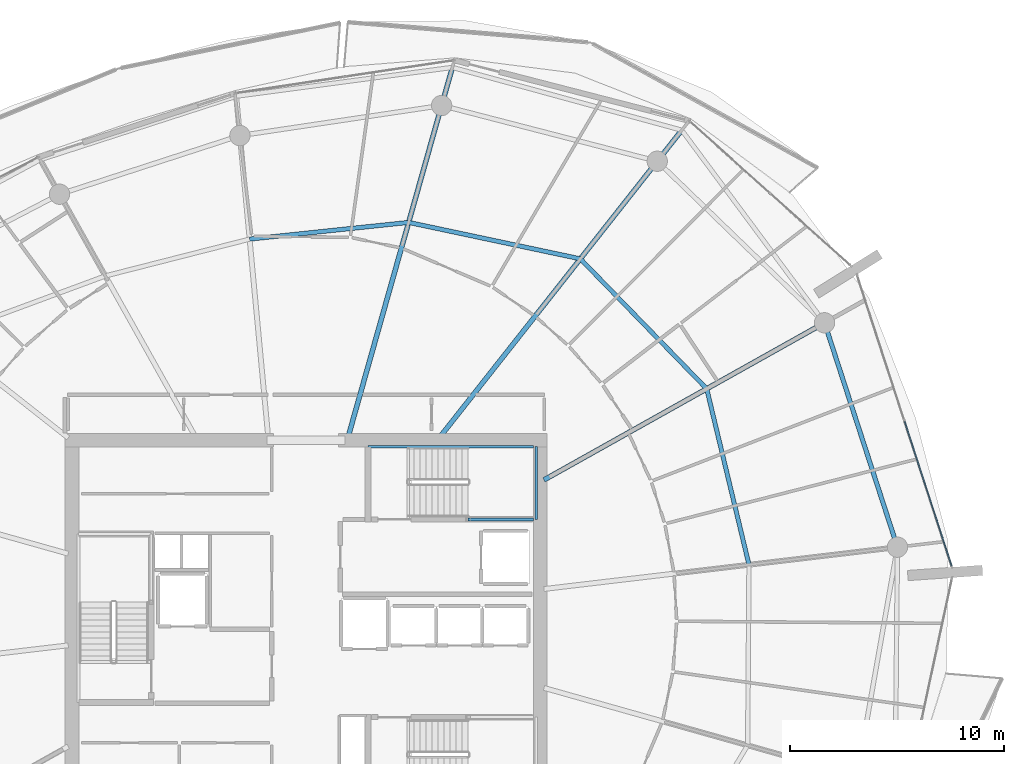
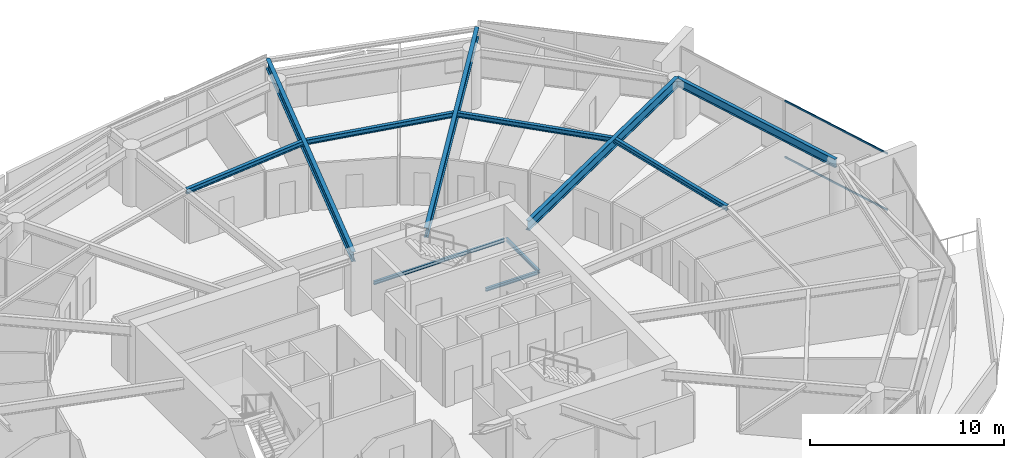
# One storey, part 14 of 30: 11 beams, 2 members, 1 element without a shape of its own.
"""IFC4 building model written with IfcOpenShell, lengths in metres."""

from ifc_helpers import new_model, si_unit, direction, frame, origin, origin_2d, place, context, subcontext, project, spatial, rectangle, i_section, extrude, material, layer, layer_set, material_profile, profile_set, type_object, element, aggregate, save


model = new_model("IFC4")

# Units and contexts
model_context = context("Model", 3, precision=1e-05, world=origin(), true_north=direction((0.0, 1.0)))
body_context = subcontext(model_context, "Body", "Model", "MODEL_VIEW")
ifc_project = project(units=[si_unit("LENGTHUNIT", "METRE"), si_unit("AREAUNIT", "SQUARE_METRE"), si_unit("VOLUMEUNIT", "CUBIC_METRE"), si_unit("PLANEANGLEUNIT", "RADIAN"), si_unit("MASSUNIT", "GRAM", prefix="KILO")], contexts=[model_context])

# Site, building, storey
site_placement = place(None, origin())
site = spatial("IfcSite", under=ifc_project, at=site_placement, CompositionType="ELEMENT")
building_placement = place(site_placement, origin())
building = spatial("IfcBuilding", under=site, at=building_placement, Name="Kazma Halo Residences", CompositionType="ELEMENT")
storey_placement = place(building_placement, frame((0.0, 0.0, 244.39990234375)))
storey = spatial("IfcBuildingStorey", under=building, at=storey_placement, Name="L61", CompositionType="ELEMENT", Elevation=244.39990234375)

# Beams
ifc_material_1 = material(Name="Steel S355", Category="steel")
ifc_material_profile_1 = material_profile(ifc_material_1, i_section(OverallWidth=0.22802734375, OverallDepth=0.60791015625, WebThickness=0.01123046875, FlangeThickness=0.017333984375, FilletRadius=0.01806640625, at=origin_2d()), Name="W610x113")
ifc_profile_set_1 = profile_set([ifc_material_profile_1], Name="Steel S355")
beam_type_1 = type_object("IfcBeamType", Name="BM-RAD-W610", PredefinedType="BEAM", material=ifc_profile_set_1)
beam_1_placement = place(storey_placement, frame((59.550048828125, 48.46826171875, 3.2861328125), z_axis=(0.872498817764, 0.488616222613, 0.0), x_axis=(-0.488616222613, 0.872498817764, 0.0)))
element("IfcBeam", 1, at=beam_1_placement, inside=storey, type_object=beam_type_1, Name="L61 radial floor beam 01", PredefinedType="BEAM", context=body_context, shape_type="SweptSolid", body=[
    extrude(i_section(OverallWidth=0.22802734375, OverallDepth=0.60791015625, WebThickness=0.01123046875, FlangeThickness=0.017333984375, FilletRadius=0.01806640625, at=origin_2d()), origin(), (0.0, 0.0, 1.0), 15.03759765625),
])
beam_2_placement = place(storey_placement, frame((54.700927734375, 50.5, 3.2861328125), z_axis=(0.6190864347, 0.785322854863, 0.0), x_axis=(-0.785322854863, 0.6190864347, 0.0)))
element("IfcBeam", 2, at=beam_2_placement, inside=storey, type_object=beam_type_1, Name="L61 radial floor beam 02", PredefinedType="BEAM", context=body_context, shape_type="SweptSolid", body=[
    extrude(i_section(OverallWidth=0.22802734375, OverallDepth=0.60791015625, WebThickness=0.01123046875, FlangeThickness=0.017333984375, FilletRadius=0.01806640625, at=origin_2d()), origin(), (0.0, 0.0, 1.0), 18.239013671875),
])
beam_3_placement = place(storey_placement, frame((50.397216796875, 50.5, 3.2861328125), z_axis=(0.271445290974, 0.962453871107, 0.0), x_axis=(-0.962453871107, 0.271445290974, 0.0)))
element("IfcBeam", 3, at=beam_3_placement, inside=storey, type_object=beam_type_1, Name="L61 radial floor beam 03", PredefinedType="BEAM", context=body_context, shape_type="SweptSolid", body=[
    extrude(i_section(OverallWidth=0.22802734375, OverallDepth=0.60791015625, WebThickness=0.01123046875, FlangeThickness=0.017333984375, FilletRadius=0.01806640625, at=origin_2d()), origin(), (0.0, 0.0, 1.0), 17.933349609375),
])
ifc_material_profile_2 = material_profile(ifc_material_1, i_section(OverallWidth=0.202880859375, OverallDepth=0.302978515625, WebThickness=0.007568359375, FlangeThickness=0.01318359375, FilletRadius=0.013916015625, at=origin_2d()), Name="W310x60")
ifc_profile_set_2 = profile_set([ifc_material_profile_2], Name="Steel S355")
beam_type_2 = type_object("IfcBeamType", Name="BM-SEC-W310A", PredefinedType="JOIST", material=ifc_profile_set_2)
beam_4_placement = place(storey_placement, frame((67.159912109375, 52.72998046875, 3.4384765625), z_axis=(-0.697145013687, 0.716930142964, 0.0), x_axis=(-0.716930142964, -0.697145013687, 0.0)))
element("IfcBeam", 4, at=beam_4_placement, inside=storey, type_object=beam_type_2, Name="L61 circumferential floor joist 01", PredefinedType="JOIST", context=body_context, shape_type="SweptSolid", body=[
    extrude(i_section(OverallWidth=0.202880859375, OverallDepth=0.302978515625, WebThickness=0.007568359375, FlangeThickness=0.01318359375, FilletRadius=0.013916015625, at=origin_2d()), origin(), (0.0, 0.0, 1.0), 8.477294921875),
])
beam_5_placement = place(storey_placement, frame((61.25, 58.8076171875, 3.4384765625), z_axis=(-0.978235588777, 0.207497308055, 0.0), x_axis=(-0.207497308055, -0.978235588777, 0.0)))
element("IfcBeam", 5, at=beam_5_placement, inside=storey, type_object=beam_type_2, Name="L61 circumferential floor joist 02", PredefinedType="JOIST", context=body_context, shape_type="SweptSolid", body=[
    extrude(i_section(OverallWidth=0.202880859375, OverallDepth=0.302978515625, WebThickness=0.007568359375, FlangeThickness=0.01318359375, FilletRadius=0.013916015625, at=origin_2d()), origin(), (0.0, 0.0, 1.0), 8.2080078125),
])
beam_6_placement = place(storey_placement, frame((53.220703125, 60.5107421875, 3.4384765625), z_axis=(-0.994528326067, -0.104467261141, 0.0), x_axis=(0.104467261141, -0.994528326067, 0.0)))
element("IfcBeam", 6, at=beam_6_placement, inside=storey, type_object=beam_type_2, Name="L61 circumferential floor joist 03", PredefinedType="JOIST", context=body_context, shape_type="SweptSolid", body=[
    extrude(i_section(OverallWidth=0.202880859375, OverallDepth=0.302978515625, WebThickness=0.007568359375, FlangeThickness=0.01318359375, FilletRadius=0.013916015625, at=origin_2d()), origin(), (0.0, 0.0, 1.0), 7.478515625),
])
beam_7_placement = place(storey_placement, frame((69.13720703125, 44.501708984375, 3.4384765625), z_axis=(-0.23365336492, 0.97231996023, 0.0), x_axis=(-0.97231996023, -0.23365336492, 0.0)))
element("IfcBeam", 7, at=beam_7_placement, inside=storey, type_object=beam_type_2, Name="L61 circumferential floor joist 16", PredefinedType="JOIST", context=body_context, shape_type="SweptSolid", body=[
    extrude(i_section(OverallWidth=0.202880859375, OverallDepth=0.302978515625, WebThickness=0.007568359375, FlangeThickness=0.01318359375, FilletRadius=0.013916015625, at=origin_2d()), origin(), (0.0, 0.0, 1.0), 8.46240234375),
])
ifc_material_profile_3 = material_profile(ifc_material_1, i_section(OverallWidth=0.208984375, OverallDepth=0.532958984375, WebThickness=0.01025390625, FlangeThickness=0.015625, FilletRadius=0.01611328125, at=origin_2d()), Name="W530x92")
ifc_profile_set_3 = profile_set([ifc_material_profile_3], Name="Steel S355")
beam_type_3 = type_object("IfcBeamType", Name="BM-SPN-W530", PredefinedType="BEAM", material=ifc_profile_set_3)
beam_8_placement = place(storey_placement, frame((76.07958984375, 45.323486328125, 3.323486328125), z_axis=(-0.309015517474, 0.951056996168, 0.0), x_axis=(-0.951056996168, -0.309015517474, 0.0)))
element("IfcBeam", 8, at=beam_8_placement, inside=storey, type_object=beam_type_3, Name="L61 perimeter ring beam 16", PredefinedType="BEAM", context=body_context, shape_type="SweptSolid", body=[
    extrude(i_section(OverallWidth=0.208984375, OverallDepth=0.532958984375, WebThickness=0.01025390625, FlangeThickness=0.015625, FilletRadius=0.01611328125, at=origin_2d()), origin(), (0.0, 0.0, 1.0), 11.032470703125),
])
ifc_material_profile_4 = material_profile(ifc_material_1, i_section(OverallWidth=0.133056640625, OverallDepth=0.20703125, WebThickness=0.005859375, FlangeThickness=0.00830078125, FilletRadius=0.010009765625, at=origin_2d()), Name="W200x26.6")
ifc_profile_set_4 = profile_set([ifc_material_profile_4], Name="Steel S355")
beam_type_4 = type_object("IfcBeamType", Name="BM-TRIM-W200", PredefinedType="BEAM", material=ifc_profile_set_4)
beam_9_placement = place(storey_placement, frame((51.31005859375, 50.02001953125, 1.6201171875), z_axis=(1.0, 0.0, 0.0), x_axis=(0.0, 1.0, 0.0)))
element("IfcBeam", 9, at=beam_9_placement, inside=storey, type_object=beam_type_4, Name="L61 ST-02 landing north wall ledger", PredefinedType="BEAM", context=body_context, shape_type="SweptSolid", body=[
    extrude(i_section(OverallWidth=0.133056640625, OverallDepth=0.20703125, WebThickness=0.005859375, FlangeThickness=0.00830078125, FilletRadius=0.010009765625, at=origin_2d()), origin(), (0.0, 0.0, 1.0), 7.760009765625),
])
beam_10_placement = place(storey_placement, frame((56.0, 46.6201171875, 1.6201171875), z_axis=(1.0, 0.0, 0.0), x_axis=(0.0, 1.0, 0.0)))
element("IfcBeam", 10, at=beam_10_placement, inside=storey, type_object=beam_type_4, Name="L61 ST-02 landing south wall ledger", PredefinedType="BEAM", context=body_context, shape_type="SweptSolid", body=[
    extrude(i_section(OverallWidth=0.133056640625, OverallDepth=0.20703125, WebThickness=0.005859375, FlangeThickness=0.00830078125, FilletRadius=0.010009765625, at=origin_2d()), origin(), (0.0, 0.0, 1.0), 3.070068359375),
])
beam_11_placement = place(storey_placement, frame((59.18994140625, 46.6201171875, 1.6201171875), z_axis=(0.0, 1.0, 0.0), x_axis=(-1.0, 0.0, 0.0)))
element("IfcBeam", 11, at=beam_11_placement, inside=storey, type_object=beam_type_4, Name="L61 ST-02 landing end wall ledger", PredefinedType="BEAM", context=body_context, shape_type="SweptSolid", body=[
    extrude(i_section(OverallWidth=0.133056640625, OverallDepth=0.20703125, WebThickness=0.005859375, FlangeThickness=0.00830078125, FilletRadius=0.010009765625, at=origin_2d()), origin(), (0.0, 0.0, 1.0), 3.39990234375),
])

# Curtain wall, members
ifc_material_2 = material(Name="Aluminium AW-6063 T6 and Triple-Silver Low-E Glass", Category="aluminium")
ifc_layer = layer(ifc_material_2, 0.139892578125)
ifc_layer_set = layer_set([ifc_layer], Name="Aluminium AW-6063 T6 and Triple-Silver Low-E Glass")
curtain_wall_type = type_object("IfcCurtainWallType", Name="CW-SYS-5", PredefinedType="NOTDEFINED", material=ifc_layer_set)
curtain_wall_placement = place(storey_placement, origin())
curtain_wall = element("IfcCurtainWall", 12, at=curtain_wall_placement, inside=storey, type_object=curtain_wall_type, Name="L61 unitised curtain wall B16", PredefinedType="NOTDEFINED")
ifc_material_3 = material(Name="Aluminium AW-6063 T6", Category="aluminium")
ifc_material_profile_5 = material_profile(ifc_material_3, rectangle(XDim=0.06005859375, YDim=0.10498046875, at=origin_2d()), Name="CWT-60x105")
ifc_profile_set_5 = profile_set([ifc_material_profile_5], Name="Aluminium AW-6063 T6")
member_type = type_object("IfcMemberType", Name="CW-SYS-5-TRN", PredefinedType="USERDEFINED", material=ifc_profile_set_5)
member_1_placement = place(storey_placement, frame((78.613525390625, 44.44091796875, 0.030029296875), z_axis=(-0.308995987448, 0.951063341603, 0.0), x_axis=(-0.951063341603, -0.308995987448, 0.0)))
member_1 = element("IfcMember", 13, at=member_1_placement, type_object=member_type, Name="CWS-5 transom 1.1", ObjectType="TRANSOM", PredefinedType="USERDEFINED", context=body_context, shape_type="SweptSolid", body=[
    extrude(rectangle(XDim=0.06005859375, YDim=0.10498046875, at=origin_2d()), origin(), (0.0, 0.0, 1.0), 7.108642578125),
])
member_2_placement = place(storey_placement, frame((78.613525390625, 44.44091796875, 3.56005859375), z_axis=(-0.308995987448, 0.951063341603, 0.0), x_axis=(-0.951063341603, -0.308995987448, 0.0)))
member_2 = element("IfcMember", 14, at=member_2_placement, type_object=member_type, Name="CWS-5 transom 1.2", ObjectType="TRANSOM", PredefinedType="USERDEFINED", context=body_context, shape_type="SweptSolid", body=[
    extrude(rectangle(XDim=0.06005859375, YDim=0.10498046875, at=origin_2d()), origin(), (0.0, 0.0, 1.0), 7.108642578125),
])
aggregate(curtain_wall, [member_1, member_2])

save(model, "model.ifc")
